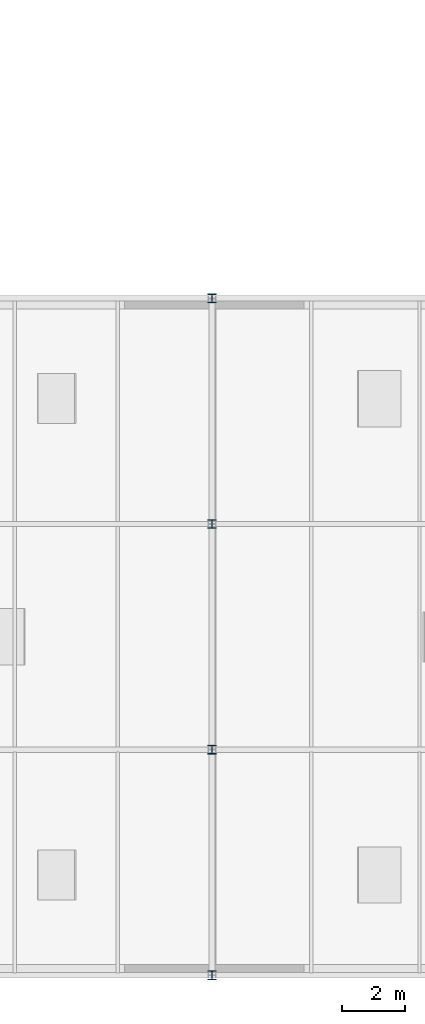
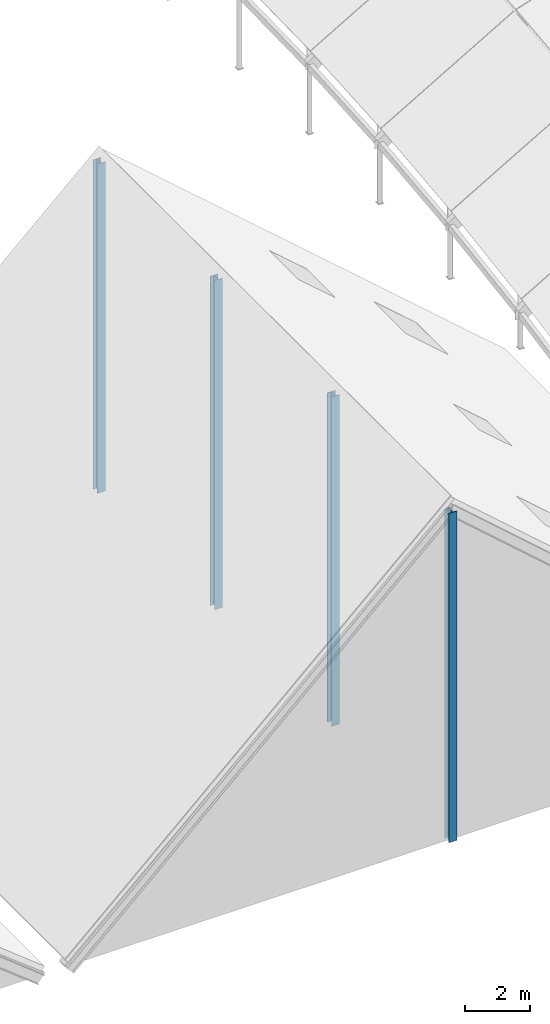
# One storey, part 4 of 35: 4 columns.
"""IFC4 building model written with IfcOpenShell, lengths in metres."""

from ifc_helpers import new_model, si_unit, direction, frame, origin, origin_2d, place, context, subcontext, project, spatial, i_section, extrude, material, material_profile, profile_set, type_object, element, save


model = new_model("IFC4")

# Units and contexts
model_context = context("Model", 3, precision=1e-05, world=origin(), true_north=direction((0.0, 1.0)))
body_context = subcontext(model_context, "Body", "Model", "MODEL_VIEW")
ifc_project = project(units=[si_unit("LENGTHUNIT", "METRE"), si_unit("AREAUNIT", "SQUARE_METRE"), si_unit("VOLUMEUNIT", "CUBIC_METRE"), si_unit("PLANEANGLEUNIT", "RADIAN"), si_unit("MASSUNIT", "GRAM", prefix="KILO")], contexts=[model_context])

# Site, building, storey
site_placement = place(None, origin())
site = spatial("IfcSite", under=ifc_project, at=site_placement, CompositionType="ELEMENT")
building_placement = place(site_placement, origin())
building = spatial("IfcBuilding", under=site, at=building_placement, Name="Zarrinpeak Specialist Clinic", CompositionType="ELEMENT")
storey_placement = place(building_placement, frame((0.0, 0.0, 31.60009765625)))
storey = spatial("IfcBuildingStorey", under=building, at=storey_placement, Name="RF", CompositionType="ELEMENT", Elevation=31.60009765625)

# Columns
ifc_material = material(Name="Steel S355", Category="steel")
ifc_material_profile = material_profile(ifc_material, i_section(OverallWidth=0.280029296875, OverallDepth=0.280029296875, WebThickness=0.010498046875, FlangeThickness=0.01806640625, FilletRadius=0.02392578125, at=origin_2d()), Name="HEB 280")
ifc_profile_set = profile_set([ifc_material_profile], Name="Steel S355")
column_type = type_object("IfcColumnType", Name="COL-HEB280", PredefinedType="COLUMN", material=ifc_profile_set)
for number, where, z_axis, x_axis, name in (
    (1, (72.0, 0.0, -8.800048828125), (0.0, 0.0, 1.0), (1.0, 0.0, 0.0), "RF Gable Ridge Column V4 Y=0.0"),
    (2, (72.0, 7.199951171875, -8.800048828125), (0.0, 0.0, 1.0), (1.0, 0.0, 0.0), "RF Gable Ridge Column V4 Y=7.2"),
    (3, (72.0, 14.39990234375, -8.800048828125), (0.0, 0.0, 1.0), (1.0, 0.0, 0.0), "RF Gable Ridge Column V4 Y=14.4"),
    (4, (72.0, 21.60009765625, -8.800048828125), (0.0, 0.0, 1.0), (1.0, 0.0, 0.0), "RF Gable Ridge Column V4 Y=21.6"),
):
    element("IfcColumn", number, at=place(storey_placement, frame(where, z_axis=z_axis, x_axis=x_axis)), inside=storey, type_object=column_type, Name=name, PredefinedType="COLUMN", context=body_context, shape_type="SweptSolid", body=[
        extrude(i_section(OverallWidth=0.280029296875, OverallDepth=0.280029296875, WebThickness=0.010498046875, FlangeThickness=0.01806640625, FilletRadius=0.02392578125, at=origin_2d()), origin(), (0.0, 0.0, 1.0), 12.349853515625),
    ])

save(model, "model.ifc")
